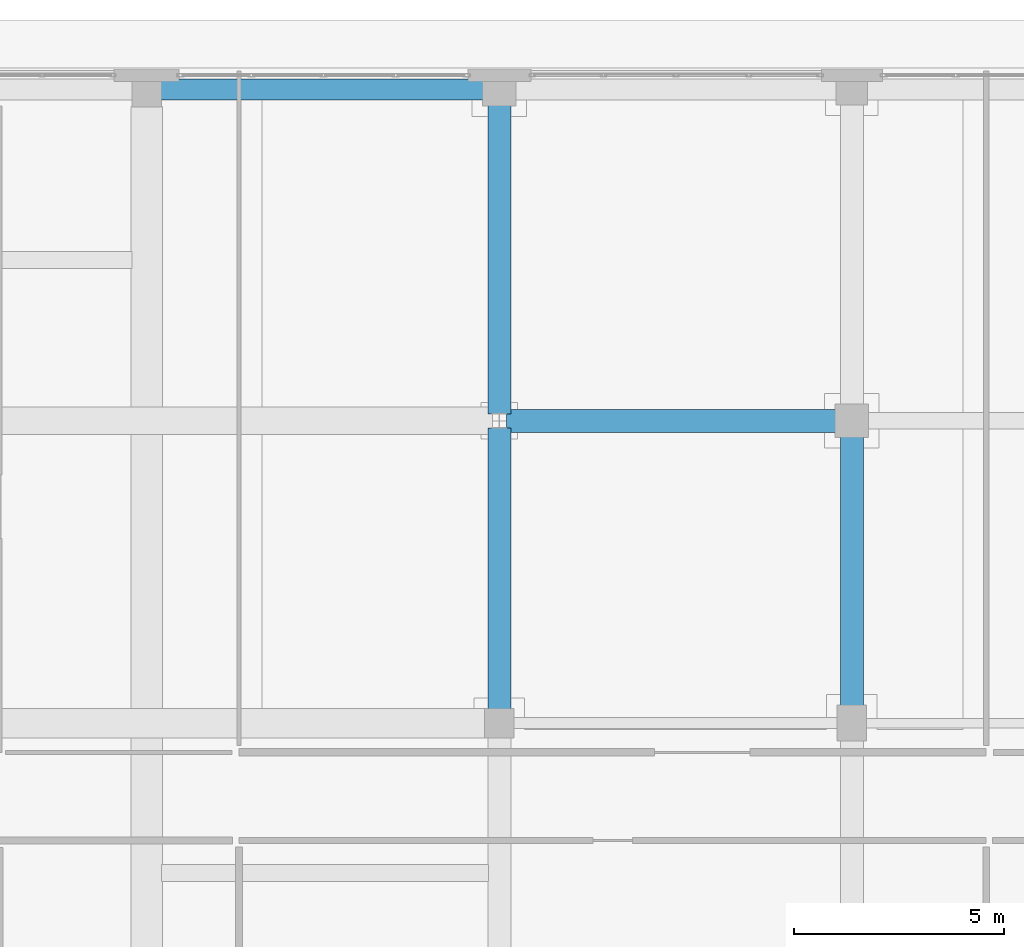
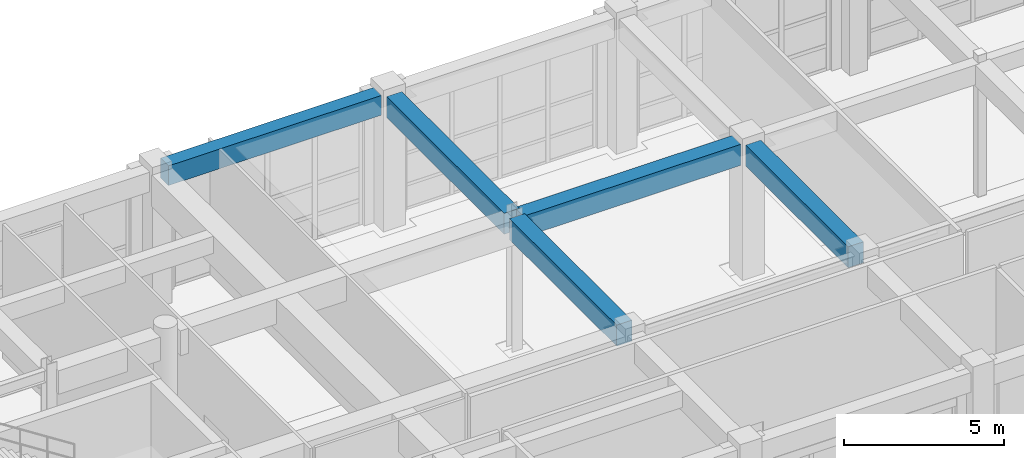
# One storey, part 102 of 148: 5 beams.
"""IFC4 building model written with IfcOpenShell, lengths in metres."""

import ifcopenshell
import ifcopenshell.guid

model = None  # the IFC model being written
_history = None  # IfcOwnerHistory: only IFC2X3 demands one
_inside = {}  # id of a spatial element -> (the spatial element, [elements in it])
_under = {}  # id of a project, library or spatial element -> (it, [spatial elements below it])
_declared = {}  # id of a project -> (the project, [libraries it declares])
_typed = {}  # id of a type object -> (the type object, [elements of that type])
_made_of = {}  # id of a material, layer set ... -> (it, [elements and type objects made of it])


def new_model(schema):
    """Start an empty IFC model of exactly this schema.

    Asked for "IFC4X3", IfcOpenShell would pick the latest addendum, in which some entities
    have other attributes; the version numbers below select the first issue.
    IFC2X3 requires an IfcOwnerHistory on every rooted entity: one is made here for all.
    """
    global model, _history
    if schema == "IFC4X3":
        model = ifcopenshell.file(schema_version=(4, 3, 0, 0))
    else:
        model = ifcopenshell.file(schema=schema)
    _inside.clear()
    _under.clear()
    _declared.clear()
    _typed.clear()
    _made_of.clear()
    _history = None
    if model.schema == "IFC2X3":
        org = make("IfcOrganization", Name="unknown")
        user = make(
            "IfcPersonAndOrganization",
            ThePerson=make("IfcPerson", FamilyName="unknown"),
            TheOrganization=org,
        )
        app = make(
            "IfcApplication",
            ApplicationDeveloper=org,
            Version="unknown",
            ApplicationFullName="unknown",
            ApplicationIdentifier="unknown",
        )
        _history = make(
            "IfcOwnerHistory",
            OwningUser=user,
            OwningApplication=app,
            ChangeAction="ADDED",
            CreationDate=0,
        )
    return model


def make(cls, **values):
    """One entity of the class cls with the attributes given. An attribute that is None is left unset."""
    return model.create_entity(
        cls, **{name: value for name, value in values.items() if value is not None}
    )


def rooted(cls, **values):
    """An entity with a GlobalId (a new one), such as an element, a storey or a relation."""
    return make(cls, GlobalId=ifcopenshell.guid.new(), OwnerHistory=_history, **values)


def si_unit(unit_type, name, prefix=None):
    """IfcSIUnit, for example si_unit("LENGTHUNIT", "METRE", prefix="MILLI")."""
    return make("IfcSIUnit", UnitType=unit_type, Prefix=prefix, Name=name)


def assignment(units):
    """IfcUnitAssignment: the units of a project."""
    return None if units is None else make("IfcUnitAssignment", Units=units)


def point(xyz):
    """IfcCartesianPoint."""
    return None if xyz is None else make("IfcCartesianPoint", Coordinates=xyz)


def direction(xyz):
    """IfcDirection."""
    return None if xyz is None else make("IfcDirection", DirectionRatios=xyz)


def frame(location, z_axis=None, x_axis=None):
    """IfcAxis2Placement3D, a coordinate frame: its origin and axes. An axis left out is left unset."""
    return make(
        "IfcAxis2Placement3D",
        Location=point(location),
        Axis=direction(z_axis),
        RefDirection=direction(x_axis),
    )


def frame_2d(location, x_axis=None):
    """IfcAxis2Placement2D, a coordinate frame in the plane: its origin and x axis."""
    return make(
        "IfcAxis2Placement2D", Location=point(location), RefDirection=direction(x_axis)
    )


def origin():
    """The frame at (0, 0, 0) with its axes left unset."""
    return frame((0.0, 0.0, 0.0))


def origin_2d():
    """The frame at (0, 0) in the plane with its x axis left unset."""
    return frame_2d((0.0, 0.0))


def place(relative_to, where):
    """IfcLocalPlacement: puts the frame where relative to a parent placement (None: the world)."""
    return make(
        "IfcLocalPlacement", PlacementRelTo=relative_to, RelativePlacement=where
    )


def context(
    kind, dimensions, precision=None, world=None, true_north=None, identifier=None
):
    """IfcGeometricRepresentationContext, for example the 3D "Model" context."""
    return make(
        "IfcGeometricRepresentationContext",
        ContextIdentifier=identifier,
        ContextType=kind,
        CoordinateSpaceDimension=dimensions,
        Precision=precision,
        WorldCoordinateSystem=world,
        TrueNorth=true_north,
    )


def subcontext(parent, identifier, kind, view, scale=None):
    """IfcGeometricRepresentationSubContext, for example "Body" below "Model"."""
    return make(
        "IfcGeometricRepresentationSubContext",
        ContextIdentifier=identifier,
        ContextType=kind,
        ParentContext=parent,
        TargetScale=scale,
        TargetView=view,
    )


def project(units=None, contexts=None):
    """IfcProject with its units and contexts."""
    return rooted(
        "IfcProject",
        Name="project",
        RepresentationContexts=contexts,
        UnitsInContext=assignment(units),
    )


def spatial(cls, under=None, at=None, **own):
    """A site, building, storey or space (cls), placed at a placement, below another one or the project."""
    s = rooted(cls, ObjectPlacement=at, **own)
    if under is not None:
        _under.setdefault(under.id(), (under, []))[1].append(s)
    return s


def profile(cls, at=None, kind="AREA", **sizes):
    """A parametric profile (cls). Its sizes go by their IFC names, for example OverallWidth=200.0."""
    return make(cls, ProfileType=kind, Position=at, **sizes)


def rectangle(**sizes):
    """IfcRectangleProfileDef."""
    return profile("IfcRectangleProfileDef", **sizes)


def extrude(swept, where, along, depth):
    """IfcExtrudedAreaSolid: the profile swept, set in the frame where, extruded along a direction by depth."""
    return make(
        "IfcExtrudedAreaSolid",
        SweptArea=swept,
        Position=where,
        ExtrudedDirection=direction(along),
        Depth=depth,
    )


def shape(context_of_items, identifier, shape_type, items):
    """IfcShapeRepresentation: the items that make up one representation, for example the "Body"."""
    return make(
        "IfcShapeRepresentation",
        ContextOfItems=context_of_items,
        RepresentationIdentifier=identifier,
        RepresentationType=shape_type,
        Items=items,
    )


def material(Name=None, Category=None):
    """IfcMaterial."""
    return make("IfcMaterial", Name=Name, Category=Category)


def material_profile(
    of_material, cross_section, Name=None, Category=None, Priority=None
):
    """IfcMaterialProfile: a cross section and its material."""
    return make(
        "IfcMaterialProfile",
        Name=Name,
        Material=of_material,
        Profile=cross_section,
        Priority=Priority,
        Category=Category,
    )


def profile_set(profiles, Name=None, composite=None):
    """IfcMaterialProfileSet."""
    return make(
        "IfcMaterialProfileSet",
        Name=Name,
        MaterialProfiles=profiles,
        CompositeProfile=composite,
    )


def made_of(thing, what):
    """Note that an element or type object is made of a material, layer set ...; save() writes the relation."""
    if what is not None:
        _made_of.setdefault(what.id(), (what, []))[1].append(thing)
    return thing


def type_object(cls, material=None, **own):
    """A type object (cls), such as IfcWallType, which elements share."""
    return made_of(rooted(cls, **own), material)


def element(
    cls,
    number,
    at=None,
    inside=None,
    cuts=None,
    type_object=None,
    material=None,
    context=None,
    identifier="Body",
    shape_type=None,
    held_by="IfcProductDefinitionShape",
    body=None,
    shapes=None,
    **own,
):
    """One element of the class cls, such as IfcWall. Its Tag is "e" and its number.

    at: its placement. inside: the storey or other place that contains it. cuts: it is an
    opening in that element (IfcRelVoidsElement). A single representation is given by context,
    identifier, shape_type and body (its items); several are given by shapes. held_by: the class
    of the entity that holds the representations. save() writes the other relations.
    """
    e = rooted(cls, Tag="e%d" % number, ObjectPlacement=at, **own)
    if body is not None:
        shapes = [shape(context, identifier, shape_type, body)]
    if shapes is not None:
        e.Representation = make(held_by, Representations=shapes)
    if inside is not None:
        _inside.setdefault(inside.id(), (inside, []))[1].append(e)
    if cuts is not None:
        rooted(
            "IfcRelVoidsElement", RelatingBuildingElement=cuts, RelatedOpeningElement=e
        )
    if type_object is not None:
        _typed.setdefault(type_object.id(), (type_object, []))[1].append(e)
    return made_of(e, material)


def aggregate(whole, parts):
    """IfcRelAggregates: a whole, such as a stair, and the parts it consists of."""
    return rooted("IfcRelAggregates", RelatingObject=whole, RelatedObjects=parts)


def save(model, path):
    """Write the relations noted so far, then the file.

    IfcRelAggregates (storeys below a building ...), IfcRelContainedInSpatialStructure (elements
    in a storey), IfcRelDefinesByType, IfcRelAssociatesMaterial and IfcRelDeclares: one each for
    every whole, place, type object, material and project.
    """
    for whole, parts in _under.values():
        aggregate(whole, parts)
    for where, things in _inside.values():
        rooted(
            "IfcRelContainedInSpatialStructure",
            RelatedElements=things,
            RelatingStructure=where,
        )
    for kind, things in _typed.values():
        rooted("IfcRelDefinesByType", RelatedObjects=things, RelatingType=kind)
    for what, things in _made_of.values():
        rooted("IfcRelAssociatesMaterial", RelatedObjects=things, RelatingMaterial=what)
    for by, libraries in _declared.values():
        rooted("IfcRelDeclares", RelatingContext=by, RelatedDefinitions=libraries)
    model.write(path)


model = new_model("IFC4")

# Units and contexts
model_context = context("Model", 3, precision=1e-05, world=origin(), true_north=direction((0.0, 1.0)))
body_context = subcontext(model_context, "Body", "Model", "MODEL_VIEW")
ifc_project = project(units=[si_unit("LENGTHUNIT", "METRE"), si_unit("AREAUNIT", "SQUARE_METRE"), si_unit("VOLUMEUNIT", "CUBIC_METRE"), si_unit("PLANEANGLEUNIT", "RADIAN"), si_unit("MASSUNIT", "GRAM", prefix="KILO")], contexts=[model_context])

# Site, building, storey
site_placement = place(None, origin())
site = spatial("IfcSite", under=ifc_project, at=site_placement, CompositionType="ELEMENT")
building_placement = place(site_placement, origin())
building = spatial("IfcBuilding", under=site, at=building_placement, Name="Quendrovan Civic Courthouse", CompositionType="ELEMENT")
storey_placement = place(building_placement, origin())
storey = spatial("IfcBuildingStorey", under=building, at=storey_placement, Name="L01", CompositionType="ELEMENT", Elevation=0.0)

# Beams
ifc_material = material(Name="Concrete C40/50", Category="concrete")
ifc_material_profile_1 = material_profile(ifc_material, rectangle(XDim=0.5, YDim=0.75, at=origin_2d()), Name="RC-BM-500x750")
ifc_profile_set_1 = profile_set([ifc_material_profile_1], Name="Concrete C40/50")
beam_type_1 = type_object("IfcBeamType", Name="BM-RC750", PredefinedType="SPANDREL", material=ifc_profile_set_1)
beam_1_placement = place(storey_placement, frame((126.330078125, 109.89990234375, 4.7451171875), z_axis=(1.0, 0.0, 0.0), x_axis=(0.0, 1.0, 0.0)))
element("IfcBeam", 1, at=beam_1_placement, inside=storey, type_object=beam_type_1, Name="L01 Girder X0366", PredefinedType="SPANDREL", context=body_context, shape_type="SweptSolid", body=[
    extrude(rectangle(XDim=0.5, YDim=0.75, at=origin_2d()), origin(), (0.0, 0.0, 1.0), 7.68994140625),
])
ifc_material_profile_2 = material_profile(ifc_material, rectangle(XDim=0.550048828125, YDim=0.800048828125, at=origin_2d()), Name="RC-BM-550x800")
ifc_profile_set_2 = profile_set([ifc_material_profile_2], Name="Concrete C40/50")
beam_type_2 = type_object("IfcBeamType", Name="BM-RC800", PredefinedType="BEAM", material=ifc_profile_set_2)
beam_2_placement = place(storey_placement, frame((134.56689453125, 102.0, 4.719970703125), z_axis=(1.0, 0.0, 0.0), x_axis=(0.0, 1.0, 0.0)))
element("IfcBeam", 2, at=beam_2_placement, inside=storey, type_object=beam_type_2, Name="L01 Girder X0353", PredefinedType="BEAM", context=body_context, shape_type="SweptSolid", body=[
    extrude(rectangle(XDim=0.550048828125, YDim=0.800048828125, at=origin_2d()), origin(), (0.0, 0.0, 1.0), 7.85302734375),
])
beam_3_placement = place(storey_placement, frame((134.39990234375, 95.1298828125, 4.719970703125), z_axis=(0.0, 1.0, 0.0), x_axis=(-1.0, 0.0, 0.0)))
element("IfcBeam", 3, at=beam_3_placement, inside=storey, type_object=beam_type_2, Name="L01 Girder Y0468", PredefinedType="BEAM", context=body_context, shape_type="SweptSolid", body=[
    extrude(rectangle(XDim=0.550048828125, YDim=0.800048828125, at=origin_2d()), origin(), (0.0, 0.0, 1.0), 6.7041015625),
])
beam_4_placement = place(storey_placement, frame((134.39990234375, 102.166015625, 4.719970703125), z_axis=(0.0, 1.0, 0.0), x_axis=(-1.0, 0.0, 0.0)))
element("IfcBeam", 4, at=beam_4_placement, inside=storey, type_object=beam_type_2, Name="L01 Girder Y0469", PredefinedType="BEAM", context=body_context, shape_type="SweptSolid", body=[
    extrude(rectangle(XDim=0.550048828125, YDim=0.800048828125, at=origin_2d()), origin(), (0.0, 0.0, 1.0), 7.35400390625),
])
beam_5_placement = place(storey_placement, frame((142.800048828125, 95.205078125, 4.719970703125), z_axis=(0.0, 1.0, 0.0), x_axis=(-1.0, 0.0, 0.0)))
element("IfcBeam", 5, at=beam_5_placement, inside=storey, type_object=beam_type_2, Name="L01 Girder Y0471", PredefinedType="BEAM", context=body_context, shape_type="SweptSolid", body=[
    extrude(rectangle(XDim=0.550048828125, YDim=0.800048828125, at=origin_2d()), origin(), (0.0, 0.0, 1.0), 6.4150390625),
])

save(model, "model.ifc")
